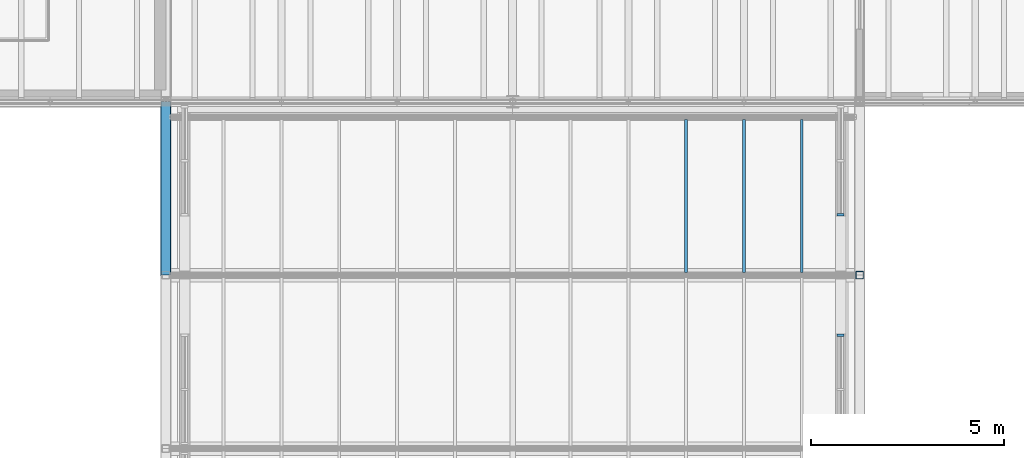
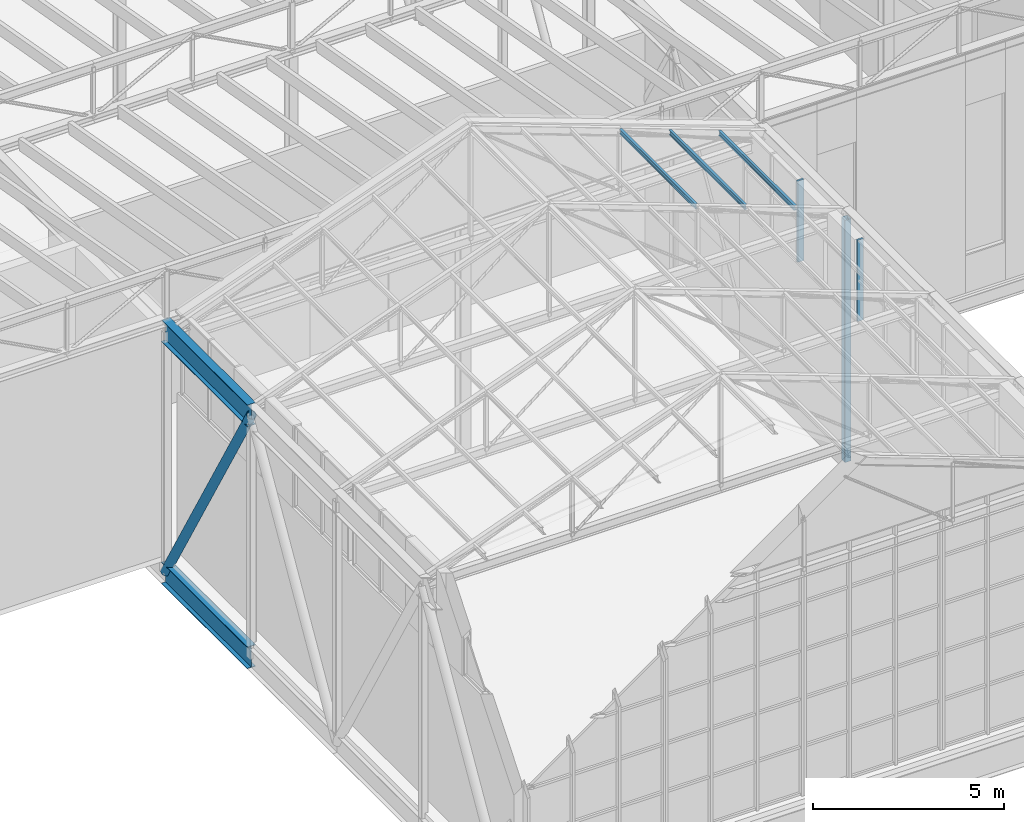
# One storey, part 23 of 90: 9 members, 2 elements without a shape of their own.
"""IFC4 building model written with IfcOpenShell, lengths in metres."""

from ifc_helpers import new_model, si_unit, direction, frame, origin, origin_2d, place, context, subcontext, project, spatial, rectangle, hollow_rectangle, hollow_circle, i_section, extrude, material, layer, layer_set, material_profile, profile_set, type_object, element, aggregate, save


model = new_model("IFC4")

# Units and contexts
model_context = context("Model", 3, precision=1e-05, world=origin(), true_north=direction((0.0, 1.0)))
body_context = subcontext(model_context, "Body", "Model", "MODEL_VIEW")
ifc_project = project(units=[si_unit("LENGTHUNIT", "METRE"), si_unit("AREAUNIT", "SQUARE_METRE"), si_unit("VOLUMEUNIT", "CUBIC_METRE"), si_unit("PLANEANGLEUNIT", "RADIAN"), si_unit("MASSUNIT", "GRAM", prefix="KILO")], contexts=[model_context])

# Site, building, storey
site_placement = place(None, origin())
site = spatial("IfcSite", under=ifc_project, at=site_placement, CompositionType="ELEMENT")
building_placement = place(site_placement, origin())
building = spatial("IfcBuilding", under=site, at=building_placement, Name="Halyard Row Museum", CompositionType="ELEMENT")
storey_placement = place(building_placement, frame((0.0, 0.0, 13.39990234375)))
storey = spatial("IfcBuildingStorey", under=building, at=storey_placement, Name="L03", CompositionType="ELEMENT", Elevation=13.39990234375)

# Curtain wall, member
ifc_material_1 = material(Name="Double glazed unit, low-emissivity", Category="glass")
ifc_layer = layer(ifc_material_1, 0.179931640625)
ifc_layer_set = layer_set([ifc_layer], Name="Double glazed unit, low-emissivity")
curtain_wall_type = type_object("IfcCurtainWallType", Name="Curtain wall stick 180 deep", PredefinedType="NOTDEFINED", material=ifc_layer_set)
curtain_wall_1_placement = place(storey_placement, origin())
curtain_wall_1 = element("IfcCurtainWall", 1, at=curtain_wall_1_placement, inside=storey, type_object=curtain_wall_type, Name="Curtain wall CW073", PredefinedType="NOTDEFINED")
ifc_material_2 = material(Name="Powder-coated aluminium section", Category="aluminium")
ifc_material_profile_1 = material_profile(ifc_material_2, rectangle(XDim=0.179931640625, YDim=0.06005859375, at=origin_2d()), Name="180x60 mullion")
ifc_profile_set_1 = profile_set([ifc_material_profile_1], Name="Powder-coated aluminium section")
member_type_1 = type_object("IfcMemberType", Name="Curtain wall mullion CM2 60 x 180", PredefinedType="MULLION", material=ifc_profile_set_1)
member_1_placement = place(storey_placement, frame((53.510009765625, 11.936767578125, 5.07275390625), z_axis=(0.0, 0.0, 1.0), x_axis=(-1.0, 0.0, 0.0)))
member_1 = element("IfcMember", 2, at=member_1_placement, type_object=member_type_1, Name="CW073 mullion 3", PredefinedType="MULLION", context=body_context, shape_type="SweptSolid", body=[
    extrude(rectangle(XDim=0.179931640625, YDim=0.06005859375, at=origin_2d()), origin(), (0.0, 0.0, 1.0), 2.60009765625),
])
aggregate(curtain_wall_1, [member_1])

curtain_wall_2_placement = place(storey_placement, origin())
curtain_wall_2 = element("IfcCurtainWall", 3, at=curtain_wall_2_placement, inside=storey, type_object=curtain_wall_type, Name="Curtain wall CW074", PredefinedType="NOTDEFINED")
member_2_placement = place(storey_placement, frame((53.510009765625, 15.063232421875, 5.07275390625), z_axis=(0.0, 0.0, 1.0), x_axis=(-1.0, 0.0, 0.0)))
member_2 = element("IfcMember", 4, at=member_2_placement, type_object=member_type_1, Name="CW074 mullion 1", PredefinedType="MULLION", context=body_context, shape_type="SweptSolid", body=[
    extrude(rectangle(XDim=0.179931640625, YDim=0.06005859375, at=origin_2d()), origin(), (0.0, 0.0, 1.0), 2.60009765625),
])
aggregate(curtain_wall_2, [member_2])

# Members
ifc_material_3 = material(Name="Steel Grade 300", Category="steel")
ifc_material_profile_2 = material_profile(ifc_material_3, i_section(OverallWidth=0.074951171875, OverallDepth=0.155029296875, WebThickness=0.006103515625, FlangeThickness=0.009521484375, FilletRadius=0.008056640625, at=origin_2d()), Name="150UB18.0")
ifc_profile_set_2 = profile_set([ifc_material_profile_2], Name="Steel Grade 300")
member_type_2 = type_object("IfcMemberType", Name="Purlin 150UB18.0", PredefinedType="PURLIN", material=ifc_profile_set_2)
for number, where, z_axis, x_axis, name in (
    (5, (49.5, 13.56640625, 9.133544921875), (0.0, 1.0, 0.0), (-1.0, 0.0, 0.0), "V4 purlin PR3.4"),
    (6, (51.0, 13.56640625, 8.581787109375), (0.0, 1.0, 0.0), (-1.0, 0.0, 0.0), "V4 purlin PR2.4"),
    (7, (52.5, 13.56640625, 8.0302734375), (0.0, 1.0, 0.0), (-1.0, 0.0, 0.0), "V4 purlin PR1.4"),
):
    element("IfcMember", number, at=place(storey_placement, frame(where, z_axis=z_axis, x_axis=x_axis)), inside=storey, type_object=member_type_2, Name=name, PredefinedType="PURLIN", context=body_context, shape_type="SweptSolid", body=[
        extrude(i_section(OverallWidth=0.074951171875, OverallDepth=0.155029296875, WebThickness=0.006103515625, FlangeThickness=0.009521484375, FilletRadius=0.008056640625, at=origin_2d()), origin(), (0.0, 0.0, 1.0), 3.967041015625),
    ])
ifc_material_4 = material(Name="Steel Grade 300", Category="steel")
ifc_material_profile_3 = material_profile(ifc_material_4, i_section(OverallWidth=0.25, OverallDepth=0.699951171875, WebThickness=0.010009765625, FlangeThickness=0.02001953125, at=origin_2d()), Name="700WB130")
ifc_profile_set_3 = profile_set([ifc_material_profile_3], Name="Steel Grade 300")
member_type_3 = type_object("IfcMemberType", Name="Transfer truss chord 700WB130 bottom", PredefinedType="CHORD", material=ifc_profile_set_3)
member_3_placement = place(storey_placement, frame((36.0, 13.5, -0.514892578125), z_axis=(0.0, 1.0, 0.0), x_axis=(-1.0, 0.0, 0.0)))
element("IfcMember", 8, at=member_3_placement, inside=storey, type_object=member_type_3, Name="TT1 bottom chord 4", PredefinedType="CHORD", context=body_context, shape_type="SweptSolid", body=[
    extrude(i_section(OverallWidth=0.25, OverallDepth=0.699951171875, WebThickness=0.010009765625, FlangeThickness=0.02001953125, at=origin_2d()), origin(), (0.0, 0.0, 1.0), 4.5),
])
ifc_material_5 = material(Name="Steel Grade 300", Category="steel")
ifc_material_profile_4 = material_profile(ifc_material_5, i_section(OverallWidth=0.25, OverallDepth=0.699951171875, WebThickness=0.010009765625, FlangeThickness=0.02001953125, at=origin_2d()), Name="700WB130")
ifc_profile_set_4 = profile_set([ifc_material_profile_4], Name="Steel Grade 300")
member_type_4 = type_object("IfcMemberType", Name="Transfer truss chord 700WB130 top", PredefinedType="CHORD", material=ifc_profile_set_4)
member_4_placement = place(storey_placement, frame((36.0, 13.5, 7.22998046875), z_axis=(0.0, 1.0, 0.0), x_axis=(-1.0, 0.0, 0.0)))
element("IfcMember", 9, at=member_4_placement, inside=storey, type_object=member_type_4, Name="TT1 top chord 4", PredefinedType="CHORD", context=body_context, shape_type="SweptSolid", body=[
    extrude(i_section(OverallWidth=0.25, OverallDepth=0.699951171875, WebThickness=0.010009765625, FlangeThickness=0.02001953125, at=origin_2d()), origin(), (0.0, 0.0, 1.0), 4.5),
])
ifc_material_6 = material(Name="Steel Grade C350L0", Category="steel")
ifc_material_profile_5 = material_profile(ifc_material_6, hollow_circle(Radius=0.136474609375, WallThickness=0.00927734375, at=origin_2d()), Name="273.1x9.3CHS")
ifc_profile_set_5 = profile_set([ifc_material_profile_5], Name="Steel Grade C350L0")
member_type_5 = type_object("IfcMemberType", Name="Transfer truss diagonal 273.1x9.3CHS", PredefinedType="BRACE", material=ifc_profile_set_5)
member_5_placement = place(storey_placement, frame((36.0, 13.5, 7.22998046875), z_axis=(0.0, 0.502384046634, -0.864644591545), x_axis=(-1.0, 0.0, 0.0)))
element("IfcMember", 10, at=member_5_placement, inside=storey, type_object=member_type_5, Name="TT1 diagonal 4", PredefinedType="BRACE", context=body_context, shape_type="SweptSolid", body=[
    extrude(hollow_circle(Radius=0.136474609375, WallThickness=0.00927734375, at=origin_2d()), origin(), (0.0, 0.0, 1.0), 8.957275390625),
])
ifc_material_7 = material(Name="Steel Grade C350L0", Category="steel")
ifc_material_profile_6 = material_profile(ifc_material_7, hollow_rectangle(XDim=0.199951171875, YDim=0.199951171875, WallThickness=0.009033203125, InnerFilletRadius=0.013427734375, OuterFilletRadius=0.0224609375, at=origin_2d()), Name="200x200x9.0SHS")
ifc_profile_set_6 = profile_set([ifc_material_profile_6], Name="Steel Grade C350L0")
member_type_6 = type_object("IfcMemberType", Name="Transfer truss post 200x200x9.0SHS", PredefinedType="POST", material=ifc_profile_set_6)
member_6_placement = place(storey_placement, frame((54.0, 13.5, -0.514892578125), z_axis=(0.0, 0.0, 1.0), x_axis=(1.0, 0.0, 0.0)))
element("IfcMember", 11, at=member_6_placement, inside=storey, type_object=member_type_6, Name="TT2 post 4", PredefinedType="POST", context=body_context, shape_type="SweptSolid", body=[
    extrude(hollow_rectangle(XDim=0.199951171875, YDim=0.199951171875, WallThickness=0.009033203125, InnerFilletRadius=0.013427734375, OuterFilletRadius=0.0224609375, at=origin_2d()), origin(), (0.0, 0.0, 1.0), 7.744873046875),
])

save(model, "model.ifc")
